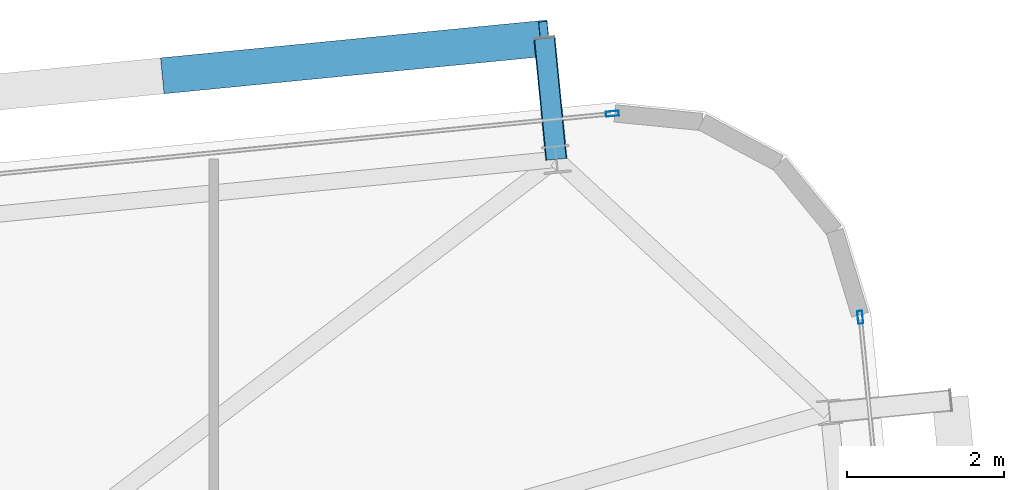
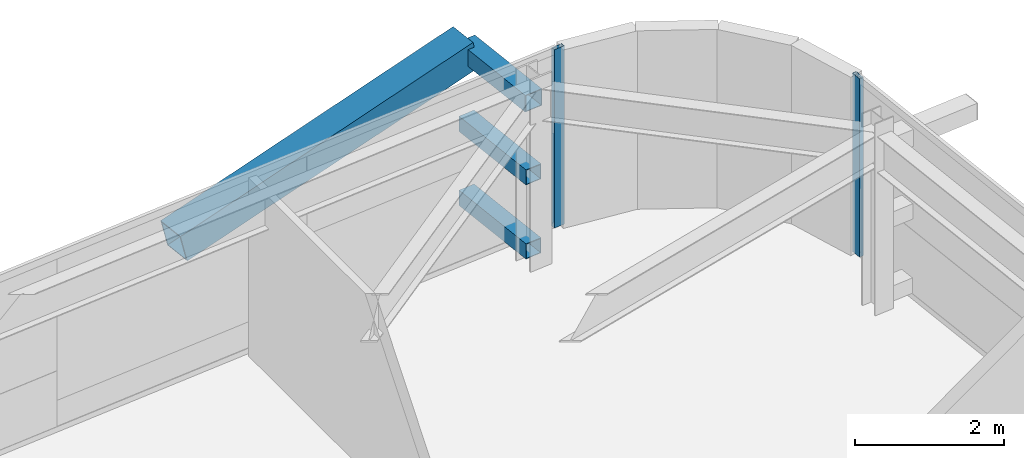
# One storey, part 31 of 47: 6 members, 2 elements without a shape of their own.
"""IFC4 building model written with IfcOpenShell, lengths in metres."""

from ifc_helpers import new_model, si_unit, direction, frame, origin, origin_2d, place, context, subcontext, project, spatial, hollow_rectangle, extrude, source, transform, mapped, material, layer, layer_set, material_profile, profile_set, type_object, element, aggregate, save


model = new_model("IFC4")

# Units and contexts
model_context = context("Model", 3, precision=1e-05, world=origin(), true_north=direction((0.0, 1.0)))
body_context = subcontext(model_context, "Body", "Model", "MODEL_VIEW")
ifc_project = project(units=[si_unit("LENGTHUNIT", "METRE"), si_unit("AREAUNIT", "SQUARE_METRE"), si_unit("VOLUMEUNIT", "CUBIC_METRE"), si_unit("PLANEANGLEUNIT", "RADIAN"), si_unit("MASSUNIT", "GRAM", prefix="KILO")], contexts=[model_context])

# Site, building, storey
site_placement = place(None, origin())
site = spatial("IfcSite", under=ifc_project, at=site_placement, CompositionType="ELEMENT")
building_placement = place(site_placement, origin())
building = spatial("IfcBuilding", under=site, at=building_placement, Name="Taldren Reach Tower", CompositionType="ELEMENT")
storey_placement = place(building_placement, frame((0.0, 0.0, 106.050048828125)))
storey = spatial("IfcBuildingStorey", under=building, at=storey_placement, Name="L32", CompositionType="ELEMENT", Elevation=106.050048828125)

# Members
ifc_material_1 = material(Name="Steel Gr 450 (C450L0)", Category="steel")
ifc_material_profile_1 = material_profile(ifc_material_1, hollow_rectangle(XDim=0.27490234375, YDim=0.27490234375, WallThickness=0.00927734375, at=origin_2d()), Name="275x275x9.3SHS")
ifc_profile_set_1 = profile_set([ifc_material_profile_1], Name="Steel Gr 450 (C450L0)")
member_type_1 = type_object("IfcMemberType", Name="MB-TIE273", PredefinedType="STRUT", material=ifc_profile_set_1)
shared_shape_1 = source(origin(), body_context, "Body", "SweptSolid", [
    extrude(hollow_rectangle(XDim=0.27490234375, YDim=0.27490234375, WallThickness=0.00927734375, at=origin_2d()), origin(), (0.0, 0.0, 1.0), 1.5498046875),
])
member_1_placement = place(storey_placement, frame((59.765869140625, 38.679931640625, 2.64990234375), z_axis=(-0.097663201064, 0.995219523099, 0.0), x_axis=(-0.995219523099, -0.097663201064, 0.0)))
element("IfcMember", 1, at=member_1_placement, inside=storey, type_object=member_type_1, Name="Exoskeleton diaphragm tie strut B2-N6 L32", PredefinedType="STRUT", context=body_context, shape_type="MappedRepresentation", body=[
    mapped(shared_shape_1, transform((0.0, 0.0, 0.0), scale=1.0)),
])
ifc_material_2 = material(Name="Steel Gr 350 (C350L0)", Category="steel")
ifc_material_profile_2 = material_profile(ifc_material_2, hollow_rectangle(XDim=0.25, YDim=0.25, WallThickness=0.010009765625, at=origin_2d()), Name="250x250x10.0SHS")
ifc_profile_set_2 = profile_set([ifc_material_profile_2], Name="Steel Gr 350 (C350L0)")
member_type_2 = type_object("IfcMemberType", Name="MB-POST250", PredefinedType="POST", material=ifc_profile_set_2)
shared_shape_2 = source(origin(), body_context, "Body", "SweptSolid", [
    extrude(hollow_rectangle(XDim=0.25, YDim=0.25, WallThickness=0.010009765625, at=origin_2d()), origin(), (0.0, 0.0, 1.0), 1.5498046875),
])
for number, where, z_axis, x_axis, name in (
    (2, (59.765869140625, 38.679931640625, 0.219970703125), (-0.097663201064, 0.995219523099, 0.0), (-0.995219523099, -0.097663201064, 0.0), "Exoskeleton base diaphragm tie strut B2-N6 L32"),
    (3, (59.765869140625, 38.679931640625, 1.43505859375), (-0.097663201064, 0.995219523099, 0.0), (-0.995219523099, -0.097663201064, 0.0), "Exoskeleton mid-tier diaphragm tie B2-N6 L32"),
):
    element("IfcMember", number, at=place(storey_placement, frame(where, z_axis=z_axis, x_axis=x_axis)), inside=storey, type_object=member_type_2, Name=name, PredefinedType="POST", context=body_context, shape_type="MappedRepresentation", body=[
        mapped(shared_shape_2, transform((0.0, 0.0, 0.0), scale=1.0)),
    ])
ifc_material_profile_3 = material_profile(ifc_material_1, hollow_rectangle(XDim=0.4599609375, YDim=0.4599609375, WallThickness=0.01611328125, at=origin_2d()), Name="460x460x16.0SHS")
ifc_profile_set_3 = profile_set([ifc_material_profile_3], Name="Steel Gr 450 (C450L0)")
member_type_3 = type_object("IfcMemberType", Name="MB-EXO457", PredefinedType="BRACE", material=ifc_profile_set_3)
shared_shape_3 = source(origin(), body_context, "Body", "SweptSolid", [
    extrude(hollow_rectangle(XDim=0.4599609375, YDim=0.4599609375, WallThickness=0.01611328125, at=origin_2d()), origin(), (0.0, 0.0, 1.0), 4.990234375),
])
member_2_placement = place(storey_placement, frame((54.797607421875, 39.750244140625, 1.43505859375), z_axis=(0.965287024526, 0.094620633828, 0.24344998652), x_axis=(-0.097555749586, 0.995230061706, 0.0)))
element("IfcMember", 4, at=member_2_placement, inside=storey, type_object=member_type_3, Name="Exoskeleton Diagrid Brace B2-N5 L32", PredefinedType="BRACE", context=body_context, shape_type="MappedRepresentation", body=[
    mapped(shared_shape_3, transform((0.0, 0.0, 0.0), scale=1.0)),
])

# Curtain wall, member
ifc_material_3 = material(Name="Aluminium and Low-E Glass Unitised System", Category="aluminium")
ifc_layer = layer(ifc_material_3, 0.159912109375)
ifc_layer_set = layer_set([ifc_layer], Name="Aluminium and Low-E Glass Unitised System")
curtain_wall_type = type_object("IfcCurtainWallType", Name="CW-SYS-3", PredefinedType="NOTDEFINED", material=ifc_layer_set)
curtain_wall_1_placement = place(storey_placement, origin())
curtain_wall_1 = element("IfcCurtainWall", 5, at=curtain_wall_1_placement, inside=storey, type_object=curtain_wall_type, Name="Unitised curtain wall CW-L32-N", PredefinedType="NOTDEFINED")
ifc_material_4 = material(Name="Anodised Aluminium 6063-T6", Category="aluminium")
ifc_material_profile_4 = material_profile(ifc_material_4, hollow_rectangle(XDim=0.06494140625, YDim=0.1650390625, WallThickness=0.00390625, at=origin_2d()), Name="ALU-165x65x4RHS")
ifc_profile_set_4 = profile_set([ifc_material_profile_4], Name="Anodised Aluminium 6063-T6")
member_type_4 = type_object("IfcMemberType", Name="CW-MUL-165", PredefinedType="MULLION", material=ifc_profile_set_4)
shared_shape_4 = source(origin(), body_context, "Body", "SweptSolid", [
    extrude(hollow_rectangle(XDim=0.06494140625, YDim=0.1650390625, WallThickness=0.00390625, at=origin_2d()), origin(), (0.0, 0.0, 1.0), 2.929931640625),
])
member_3_placement = place(storey_placement, frame((60.47998046875, 39.262451171875, 0.0), z_axis=(0.0, 0.0, 1.0), x_axis=(0.097582999046, -0.995227390247, 0.0)))
member_3 = element("IfcMember", 6, at=member_3_placement, type_object=member_type_4, Name="CW-3 mullion 1", PredefinedType="MULLION", context=body_context, shape_type="MappedRepresentation", body=[
    mapped(shared_shape_4, transform((0.0, 0.0, 0.0), scale=1.0)),
])
aggregate(curtain_wall_1, [member_3])

curtain_wall_2_placement = place(storey_placement, origin())
curtain_wall_2 = element("IfcCurtainWall", 7, at=curtain_wall_2_placement, inside=storey, type_object=curtain_wall_type, Name="Unitised curtain wall CW-L32-E", PredefinedType="NOTDEFINED")
member_4_placement = place(storey_placement, frame((63.640869140625, 36.666015625, 0.0), z_axis=(0.0, 0.0, 1.0), x_axis=(-0.99522741555, -0.09758274098, 0.0)))
member_4 = element("IfcMember", 8, at=member_4_placement, type_object=member_type_4, Name="CW-3 mullion 4", PredefinedType="MULLION", context=body_context, shape_type="MappedRepresentation", body=[
    mapped(shared_shape_4, transform((0.0, 0.0, 0.0), scale=1.0)),
])
aggregate(curtain_wall_2, [member_4])

save(model, "model.ifc")
